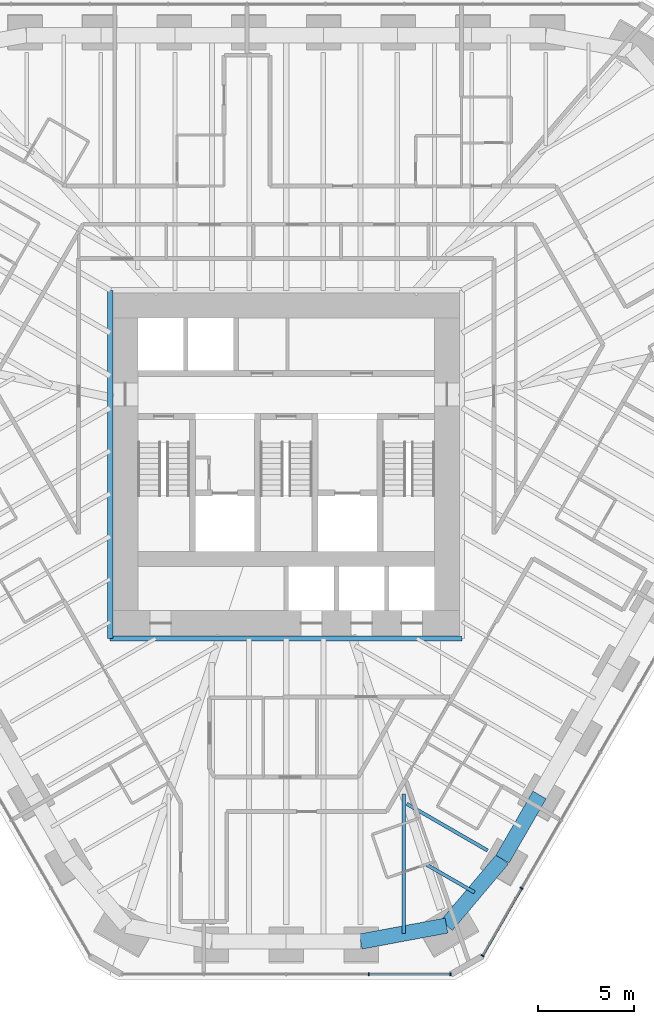
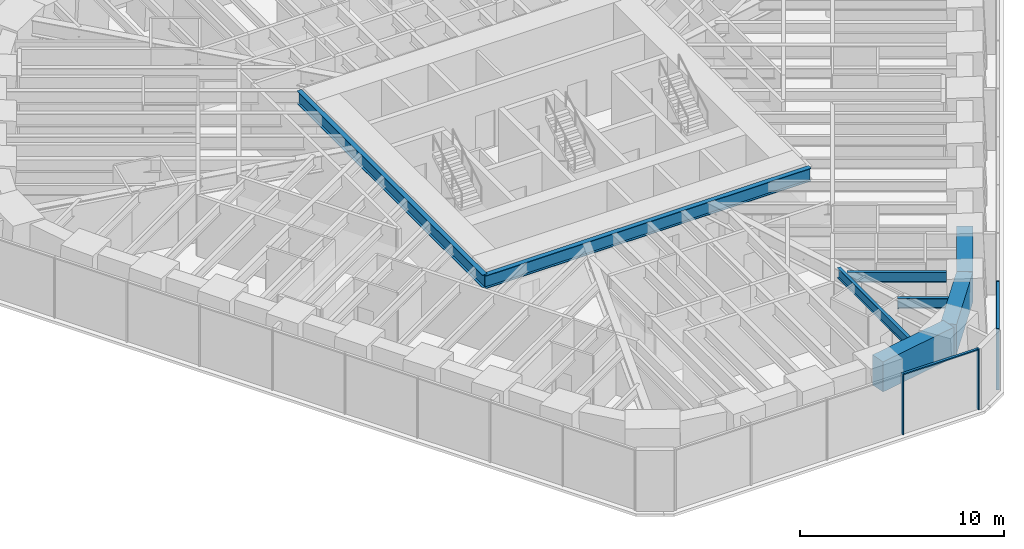
# One storey, part 4 of 18: 8 beams, 6 members, 2 elements without a shape of their own.
"""IFC4 building model written with IfcOpenShell, lengths in metres."""

from ifc_helpers import new_model, si_unit, direction, frame, origin, origin_2d, place, context, subcontext, project, spatial, rectangle, i_section, extrude, material, material_profile, profile_set, type_object, element, aggregate, save


model = new_model("IFC4")

# Units and contexts
model_context = context("Model", 3, precision=1e-05, world=origin(), true_north=direction((0.0, 1.0)))
body_context = subcontext(model_context, "Body", "Model", "MODEL_VIEW")
ifc_project = project(units=[si_unit("LENGTHUNIT", "METRE"), si_unit("AREAUNIT", "SQUARE_METRE"), si_unit("VOLUMEUNIT", "CUBIC_METRE"), si_unit("PLANEANGLEUNIT", "RADIAN"), si_unit("MASSUNIT", "GRAM", prefix="KILO")], contexts=[model_context])

# Site, building, storey
site_placement = place(None, origin())
site = spatial("IfcSite", under=ifc_project, at=site_placement, CompositionType="ELEMENT")
building_placement = place(site_placement, origin())
building = spatial("IfcBuilding", under=site, at=building_placement, Name="Sandreach Pilgrim Tower", CompositionType="ELEMENT")
storey_placement = place(building_placement, frame((0.0, 0.0, 153.800048828125)))
storey = spatial("IfcBuildingStorey", under=building, at=storey_placement, Name="L38", CompositionType="ELEMENT", Elevation=153.800048828125)

# Curtain wall, members
ifc_material_1 = material(Name="Aluminium framed curtain wall", Category="aluminium")
curtain_wall_type = type_object("IfcCurtainWallType", Name="Hotel tower curtain wall", PredefinedType="NOTDEFINED", material=ifc_material_1)
curtain_wall_1_placement = place(storey_placement, origin())
curtain_wall_1 = element("IfcCurtainWall", 1, at=curtain_wall_1_placement, inside=storey, type_object=curtain_wall_type, Name="CW-2 L38 SE", PredefinedType="NOTDEFINED")
ifc_material_2 = material(Name="Aluminium extrusion", Category="aluminium")
ifc_material_profile_1 = material_profile(ifc_material_2, rectangle(XDim=0.06494140625, YDim=0.179931640625, at=origin_2d()), Name="CW-2M 65X180")
ifc_profile_set_1 = profile_set([ifc_material_profile_1], Name="Aluminium extrusion")
member_type_1 = type_object("IfcMemberType", Name="CW-2 mullion", PredefinedType="MULLION", material=ifc_profile_set_1)
member_1_placement = place(storey_placement, frame((12.29296875, -23.695556640625, 0.0), z_axis=(0.0, 0.0, 1.0), x_axis=(-0.5, -0.866025403784, 0.0)))
member_1 = element("IfcMember", 2, at=member_1_placement, type_object=member_type_1, Name="CW-2 mullion 9", PredefinedType="MULLION", context=body_context, shape_type="SweptSolid", body=[
    extrude(rectangle(XDim=0.06494140625, YDim=0.179931640625, at=origin_2d()), origin(), (0.0, 0.0, 1.0), 3.639892578125),
])
member_2_placement = place(storey_placement, frame((10.255859375, -27.22412109375, 0.0), z_axis=(0.0, 0.0, 1.0), x_axis=(-0.5, -0.866025403784, 0.0)))
member_2 = element("IfcMember", 3, at=member_2_placement, type_object=member_type_1, Name="CW-2 mullion 10", PredefinedType="MULLION", context=body_context, shape_type="SweptSolid", body=[
    extrude(rectangle(XDim=0.06494140625, YDim=0.179931640625, at=origin_2d()), origin(), (0.0, 0.0, 1.0), 3.639892578125),
])

curtain_wall_2_placement = place(storey_placement, origin())
curtain_wall_2 = element("IfcCurtainWall", 4, at=curtain_wall_2_placement, inside=storey, type_object=curtain_wall_type, Name="CW-2 L38 S", PredefinedType="NOTDEFINED")
member_3_placement = place(storey_placement, frame((8.578857421875, -28.192138671875, 0.0), z_axis=(0.0, 0.0, 1.0), x_axis=(-1.0, 0.0, 0.0)))
member_3 = element("IfcMember", 5, at=member_3_placement, type_object=member_type_1, Name="CW-2 mullion 1", PredefinedType="MULLION", context=body_context, shape_type="SweptSolid", body=[
    extrude(rectangle(XDim=0.06494140625, YDim=0.179931640625, at=origin_2d()), origin(), (0.0, 0.0, 1.0), 3.639892578125),
])
member_4_placement = place(storey_placement, frame((4.3056640625, -28.192138671875, 0.0), z_axis=(0.0, 0.0, 1.0), x_axis=(-1.0, 0.0, 0.0)))
member_4 = element("IfcMember", 6, at=member_4_placement, type_object=member_type_1, Name="CW-2 mullion 2", PredefinedType="MULLION", context=body_context, shape_type="SweptSolid", body=[
    extrude(rectangle(XDim=0.06494140625, YDim=0.179931640625, at=origin_2d()), origin(), (0.0, 0.0, 1.0), 3.639892578125),
])

# Member
ifc_material_3 = material(Name="Aluminium extrusion", Category="aluminium")
ifc_material_profile_2 = material_profile(ifc_material_3, rectangle(XDim=0.139892578125, YDim=0.070068359375, at=origin_2d()), Name="CW-2T 140X70")
ifc_profile_set_2 = profile_set([ifc_material_profile_2], Name="Aluminium extrusion")
member_type_2 = type_object("IfcMemberType", Name="CW-2 transom", PredefinedType="USERDEFINED", material=ifc_profile_set_2)
member_5_placement = place(storey_placement, frame((12.27685546875, -23.7236328125, 3.60498046875), z_axis=(-0.500015851672, -0.866016251624, 0.0), x_axis=(0.866016251624, -0.500015851672, 0.0)))
member_5 = element("IfcMember", 7, at=member_5_placement, type_object=member_type_2, Name="CW-2 head transom 9", ObjectType="TRANSOM", PredefinedType="USERDEFINED", context=body_context, shape_type="SweptSolid", body=[
    extrude(rectangle(XDim=0.139892578125, YDim=0.070068359375, at=origin_2d()), origin(), (0.0, 0.0, 1.0), 4.009521484375),
])

aggregate(curtain_wall_1, [member_1, member_2, member_5])

member_6_placement = place(storey_placement, frame((8.54638671875, -28.192138671875, 3.60498046875), z_axis=(-1.0, 0.0, 0.0), x_axis=(0.0, -1.0, 0.0)))
member_6 = element("IfcMember", 8, at=member_6_placement, type_object=member_type_2, Name="CW-2 head transom 1", ObjectType="TRANSOM", PredefinedType="USERDEFINED", context=body_context, shape_type="SweptSolid", body=[
    extrude(rectangle(XDim=0.139892578125, YDim=0.070068359375, at=origin_2d()), origin(), (0.0, 0.0, 1.0), 4.208251953125),
])

aggregate(curtain_wall_2, [member_3, member_4, member_6])

# Beams
ifc_material_4 = material(Name="Steel ASTM A992 Grade 50", Category="steel")
ifc_material_profile_3 = material_profile(ifc_material_4, i_section(OverallWidth=0.2666015625, OverallDepth=0.77978515625, WebThickness=0.0166015625, FlangeThickness=0.030029296875, at=origin_2d()), Name="W30X148")
ifc_profile_set_3 = profile_set([ifc_material_profile_3], Name="Steel ASTM A992 Grade 50")
beam_type_1 = type_object("IfcBeamType", Name="Core edge beam W30X148", PredefinedType="BEAM", material=ifc_profile_set_3)
beam_1_placement = place(storey_placement, frame((9.193359375, -10.643310546875, 3.25), z_axis=(-1.0, 0.0, 0.0), x_axis=(0.0, -1.0, 0.0)))
element("IfcBeam", 9, at=beam_1_placement, inside=storey, type_object=beam_type_1, Name="BM L38 CES", PredefinedType="BEAM", context=body_context, shape_type="SweptSolid", body=[
    extrude(i_section(OverallWidth=0.2666015625, OverallDepth=0.77978515625, WebThickness=0.0166015625, FlangeThickness=0.030029296875, at=origin_2d()), origin(), (0.0, 0.0, 1.0), 18.38671875),
])
beam_2_placement = place(storey_placement, frame((-9.193359375, -10.643310546875, 3.25), z_axis=(0.0, 1.0, 0.0), x_axis=(-1.0, 0.0, 0.0)))
element("IfcBeam", 10, at=beam_2_placement, inside=storey, type_object=beam_type_1, Name="BM L38 CEW", PredefinedType="BEAM", context=body_context, shape_type="SweptSolid", body=[
    extrude(i_section(OverallWidth=0.2666015625, OverallDepth=0.77978515625, WebThickness=0.0166015625, FlangeThickness=0.030029296875, at=origin_2d()), origin(), (0.0, 0.0, 1.0), 18.186767578125),
])
ifc_material_5 = material(Name="Steel ASTM A992 Grade 50", Category="steel")
ifc_material_profile_4 = material_profile(ifc_material_5, i_section(OverallWidth=0.1787109375, OverallDepth=0.60205078125, WebThickness=0.010986328125, FlangeThickness=0.014892578125, at=origin_2d()), Name="W24X62")
ifc_profile_set_4 = profile_set([ifc_material_profile_4], Name="Steel ASTM A992 Grade 50")
beam_type_2 = type_object("IfcBeamType", Name="Floor beam W24X62", PredefinedType="BEAM", material=ifc_profile_set_4)
beam_3_placement = place(storey_placement, frame((10.52001953125, -21.727294921875, 3.3388671875), z_axis=(-0.86602886455, 0.49999400573, 0.0), x_axis=(-0.49999400573, -0.86602886455, 0.0)))
element("IfcBeam", 11, at=beam_3_placement, inside=storey, type_object=beam_type_2, Name="BM L38 F21", PredefinedType="BEAM", context=body_context, shape_type="SweptSolid", body=[
    extrude(i_section(OverallWidth=0.1787109375, OverallDepth=0.60205078125, WebThickness=0.010986328125, FlangeThickness=0.014892578125, at=origin_2d()), origin(), (0.0, 0.0, 1.0), 4.876953125),
])
beam_4_placement = place(storey_placement, frame((9.8359375, -23.9130859375, 3.3388671875), z_axis=(-0.866044832787, 0.49996634647, 0.0), x_axis=(-0.49996634647, -0.866044832787, 0.0)))
element("IfcBeam", 12, at=beam_4_placement, inside=storey, type_object=beam_type_2, Name="BM L38 FM21", PredefinedType="BEAM", context=body_context, shape_type="SweptSolid", body=[
    extrude(i_section(OverallWidth=0.1787109375, OverallDepth=0.60205078125, WebThickness=0.010986328125, FlangeThickness=0.014892578125, at=origin_2d()), origin(), (0.0, 0.0, 1.0), 2.888427734375),
])
beam_5_placement = place(storey_placement, frame((6.130859375, -26.06591796875, 3.3388671875), z_axis=(0.0, 1.0, 0.0), x_axis=(-1.0, 0.0, 0.0)))
element("IfcBeam", 13, at=beam_5_placement, inside=storey, type_object=beam_type_2, Name="BM L38 FM22", PredefinedType="BEAM", context=body_context, shape_type="SweptSolid", body=[
    extrude(i_section(OverallWidth=0.1787109375, OverallDepth=0.60205078125, WebThickness=0.010986328125, FlangeThickness=0.014892578125, at=origin_2d()), origin(), (0.0, 0.0, 1.0), 7.2841796875),
])
ifc_material_6 = material(Name="Concrete 10000 psi", Category="concrete")
ifc_material_profile_5 = material_profile(ifc_material_6, rectangle(XDim=0.800048828125, YDim=1.800048828125, at=origin_2d()), Name="RC800X1800")
ifc_profile_set_5 = profile_set([ifc_material_profile_5], Name="Concrete 10000 psi")
beam_type_3 = type_object("IfcBeamType", Name="Spandrel beam RC800X1800", PredefinedType="SPANDREL", material=ifc_profile_set_5)
beam_6_placement = place(storey_placement, frame((13.236083984375, -18.822998046875, 2.739990234375), z_axis=(-0.499962526042, -0.866047038303, 0.0), x_axis=(0.866047038303, -0.499962526042, 0.0)))
element("IfcBeam", 14, at=beam_6_placement, inside=storey, type_object=beam_type_3, Name="BM L38 SP20", PredefinedType="SPANDREL", context=body_context, shape_type="SweptSolid", body=[
    extrude(rectangle(XDim=0.800048828125, YDim=1.800048828125, at=origin_2d()), origin(), (0.0, 0.0, 1.0), 3.873291015625),
])
beam_7_placement = place(storey_placement, frame((11.299560546875, -22.177490234375, 2.739990234375), z_axis=(-0.644610808932, -0.764510892668, 0.0), x_axis=(0.764510892668, -0.644610808932, 0.0)))
element("IfcBeam", 15, at=beam_7_placement, inside=storey, type_object=beam_type_3, Name="BM L38 SP21", PredefinedType="SPANDREL", context=body_context, shape_type="SweptSolid", body=[
    extrude(rectangle(XDim=0.800048828125, YDim=1.800048828125, at=origin_2d()), origin(), (0.0, 0.0, 1.0), 4.540771484375),
])
beam_8_placement = place(storey_placement, frame((8.37255859375, -25.64892578125, 2.739990234375), z_axis=(-0.983135422251, -0.1828790352, 0.0), x_axis=(0.1828790352, -0.983135422251, 0.0)))
element("IfcBeam", 16, at=beam_8_placement, inside=storey, type_object=beam_type_3, Name="BM L38 SP22", PredefinedType="SPANDREL", context=body_context, shape_type="SweptSolid", body=[
    extrude(rectangle(XDim=0.800048828125, YDim=1.800048828125, at=origin_2d()), origin(), (0.0, 0.0, 1.0), 4.560302734375),
])

save(model, "model.ifc")
